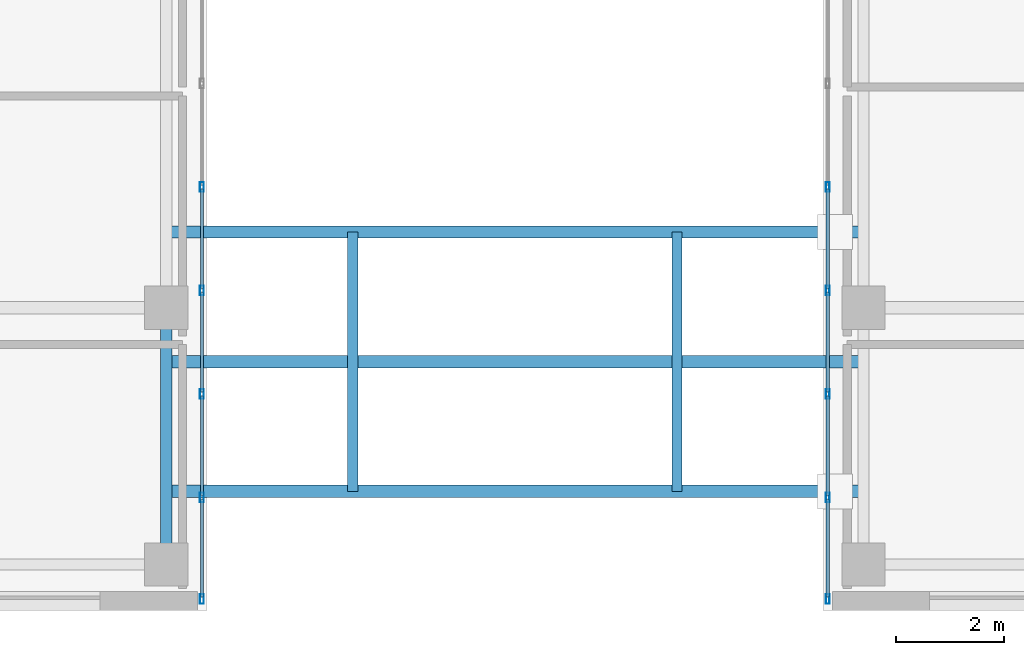
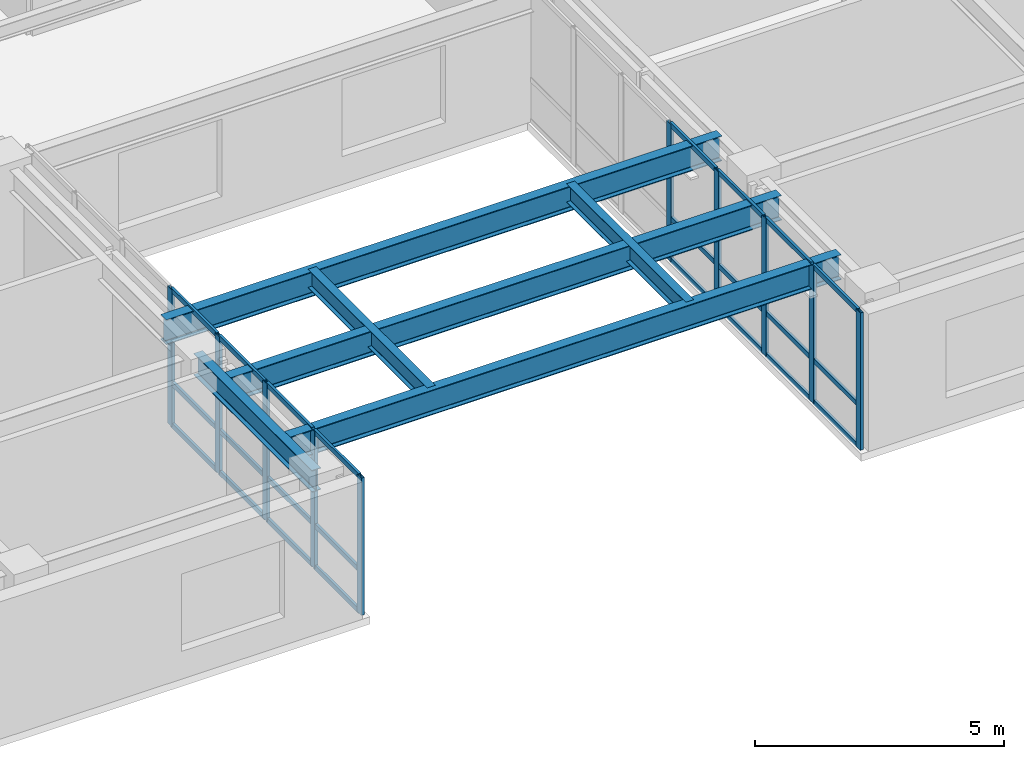
# One storey, part 3 of 15: 34 members, 6 beams, 2 elements without a shape of their own.
"""IFC4 building model written with IfcOpenShell, lengths in metres."""

from ifc_helpers import new_model, si_unit, direction, frame, origin, origin_2d, place, context, subcontext, project, spatial, hollow_rectangle, i_section, extrude, source, transform, mapped, material, layer, layer_set, material_profile, profile_set, type_object, type_shapes, element, aggregate, save


model = new_model("IFC4")

# Units and contexts
model_context = context("Model", 3, precision=1e-05, world=origin(), true_north=direction((0.0, 1.0)))
body_context = subcontext(model_context, "Body", "Model", "MODEL_VIEW")
ifc_project = project(units=[si_unit("LENGTHUNIT", "METRE"), si_unit("AREAUNIT", "SQUARE_METRE"), si_unit("VOLUMEUNIT", "CUBIC_METRE"), si_unit("PLANEANGLEUNIT", "RADIAN"), si_unit("MASSUNIT", "GRAM", prefix="KILO")], contexts=[model_context])

# Site, building, storey
site_placement = place(None, origin())
site = spatial("IfcSite", under=ifc_project, at=site_placement, CompositionType="ELEMENT")
building_placement = place(site_placement, origin())
building = spatial("IfcBuilding", under=site, at=building_placement, Name="Tolvann Quenvar Hotel", CompositionType="ELEMENT")
storey_placement = place(building_placement, frame((0.0, 0.0, 164.800048828125)))
storey = spatial("IfcBuildingStorey", under=building, at=storey_placement, Name="L43", CompositionType="ELEMENT", Elevation=164.800048828125)

# Beams
ifc_material_1 = material(Name="Steel Grade 350", Category="steel")
ifc_material_profile_1 = material_profile(ifc_material_1, i_section(OverallWidth=0.22900390625, OverallDepth=0.612060546875, WebThickness=0.011962890625, FlangeThickness=0.01953125, FilletRadius=0.013916015625, at=origin_2d()), Name="610UB125")
ifc_profile_set_1 = profile_set([ifc_material_profile_1], Name="Steel Grade 350")
beam_type_1 = type_object("IfcBeamType", Name="BM_GIRD_610UB125", PredefinedType="BEAM", material=ifc_profile_set_1)
shared_shape_1 = source(origin(), body_context, "Body", "SweptSolid", [
    extrude(i_section(OverallWidth=0.22900390625, OverallDepth=0.612060546875, WebThickness=0.011962890625, FlangeThickness=0.01953125, FilletRadius=0.013916015625, at=origin_2d()), origin(), (0.0, 0.0, 1.0), 12.89990234375),
])
type_shapes(beam_type_1, [shared_shape_1])
for number, where, z_axis, x_axis, name in (
    (1, (22.050048828125, 4.800048828125, 3.06396484375), (1.0, 0.0, 0.0), (0.0, 1.0, 0.0), "Skybridge Longitudinal Support Girder (L44-S)"),
    (2, (22.050048828125, 9.60009765625, 3.06396484375), (1.0, 0.0, 0.0), (0.0, 1.0, 0.0), "Skybridge Longitudinal Support Girder (L44-N)"),
    (3, (22.050048828125, 7.199951171875, 3.06396484375), (1.0, 0.0, 0.0), (0.0, 1.0, 0.0), "Skybridge Central Support Girder (L44-M)"),
):
    element("IfcBeam", number, at=place(storey_placement, frame(where, z_axis=z_axis, x_axis=x_axis)), inside=storey, type_object=beam_type_1, Name=name, PredefinedType="BEAM", context=body_context, shape_type="MappedRepresentation", body=[
        mapped(shared_shape_1, transform((0.0, 0.0, 0.0), x_axis=(1.0, 0.0, 0.0), y_axis=(0.0, 1.0, 0.0), z_axis=(0.0, 0.0, 1.0), scale=1.0)),
    ])
ifc_material_profile_2 = material_profile(ifc_material_1, i_section(OverallWidth=0.208984375, OverallDepth=0.532958984375, WebThickness=0.01025390625, FlangeThickness=0.015625, FilletRadius=0.013916015625, at=origin_2d()), Name="530UB92")
ifc_profile_set_2 = profile_set([ifc_material_profile_2], Name="Steel Grade 350")
beam_type_2 = type_object("IfcBeamType", Name="BM_GIRD_530UB92", PredefinedType="BEAM", material=ifc_profile_set_2)
shared_shape_2 = source(origin(), body_context, "Body", "SweptSolid", [
    extrude(i_section(OverallWidth=0.208984375, OverallDepth=0.532958984375, WebThickness=0.01025390625, FlangeThickness=0.015625, FilletRadius=0.013916015625, at=origin_2d()), origin(), (0.0, 0.0, 1.0), 4.75),
])
type_shapes(beam_type_2, [shared_shape_2])
beam_placement = place(storey_placement, frame((22.050048828125, 3.449951171875, 3.103515625), z_axis=(0.0, 1.0, 0.0), x_axis=(-1.0, 0.0, 0.0)))
element("IfcBeam", 4, at=beam_placement, inside=storey, type_object=beam_type_2, Name="BM-L43-NS-E2-E3", PredefinedType="BEAM", context=body_context, shape_type="MappedRepresentation", body=[
    mapped(shared_shape_2, transform((0.0, 0.0, 0.0), x_axis=(1.0, 0.0, 0.0), y_axis=(0.0, 1.0, 0.0), z_axis=(0.0, 0.0, 1.0), scale=1.0)),
])
ifc_material_profile_3 = material_profile(ifc_material_1, i_section(OverallWidth=0.18994140625, OverallDepth=0.4541015625, WebThickness=0.008544921875, FlangeThickness=0.0126953125, FilletRadius=0.011474609375, at=origin_2d()), Name="460UB67")
ifc_profile_set_3 = profile_set([ifc_material_profile_3], Name="Steel Grade 350")
beam_type_3 = type_object("IfcBeamType", Name="BM_JOIST_460UB67", PredefinedType="JOIST", material=ifc_profile_set_3)
shared_shape_3 = source(origin(), body_context, "Body", "SweptSolid", [
    extrude(i_section(OverallWidth=0.18994140625, OverallDepth=0.4541015625, WebThickness=0.008544921875, FlangeThickness=0.0126953125, FilletRadius=0.011474609375, at=origin_2d()), origin(), (0.0, 0.0, 1.0), 4.800048828125),
])
type_shapes(beam_type_3, [shared_shape_3])
for number, where, z_axis, x_axis, name in (
    (5, (25.5, 4.800048828125, 3.14306640625), (0.0, 1.0, 0.0), (-1.0, 0.0, 0.0), "Skybridge Transverse Diaphragm Beam W (L44)"),
    (6, (31.5, 4.800048828125, 3.14306640625), (0.0, 1.0, 0.0), (-1.0, 0.0, 0.0), "Skybridge Transverse Diaphragm Beam E (L44)"),
):
    element("IfcBeam", number, at=place(storey_placement, frame(where, z_axis=z_axis, x_axis=x_axis)), inside=storey, type_object=beam_type_3, Name=name, PredefinedType="JOIST", context=body_context, shape_type="MappedRepresentation", body=[
        mapped(shared_shape_3, transform((0.0, 0.0, 0.0), x_axis=(1.0, 0.0, 0.0), y_axis=(0.0, 1.0, 0.0), z_axis=(0.0, 0.0, 1.0), scale=1.0)),
    ])

# Curtain wall, members
ifc_material_2 = material(Name="Thermally broken anodised architectural aluminium 6063-T6 and laminated low-E glass", Category="aluminium")
ifc_layer = layer(ifc_material_2, 0.179931640625)
ifc_layer_set = layer_set([ifc_layer], Name="Thermally broken anodised architectural aluminium 6063-T6 and laminated low-E glass")
curtain_wall_type = type_object("IfcCurtainWallType", Name="CW_SYS_SLOT_03", PredefinedType="USERDEFINED", material=ifc_layer_set)
curtain_wall_1_placement = place(storey_placement, origin())
curtain_wall_1 = element("IfcCurtainWall", 7, at=curtain_wall_1_placement, inside=storey, type_object=curtain_wall_type, Name="Curtain Wall CW-SLOT-03 (CWR-L43-E05)", ObjectType="UNITISED CURTAIN WALL", PredefinedType="USERDEFINED")
ifc_material_3 = material(Name="Anodised architectural aluminium 6063-T6 framing", Category="aluminium")
ifc_material_profile_4 = material_profile(ifc_material_3, hollow_rectangle(XDim=0.070068359375, YDim=0.179931640625, WallThickness=0.00390625, at=origin_2d()), Name="180x70x4RHS")
ifc_profile_set_4 = profile_set([ifc_material_profile_4], Name="Anodised architectural aluminium 6063-T6 framing")
member_type_1 = type_object("IfcMemberType", Name="CW_MULL_180x70", PredefinedType="MULLION", material=ifc_profile_set_4)
shared_shape_4 = source(origin(), body_context, "Body", "SweptSolid", [
    extrude(hollow_rectangle(XDim=0.070068359375, YDim=0.179931640625, WallThickness=0.00390625, at=origin_2d()), origin(), (0.0, 0.0, 1.0), 3.369873046875),
])
type_shapes(member_type_1, [shared_shape_4])
member_1_placement = place(storey_placement, frame((22.7099609375, 2.81005859375, 0.0), z_axis=(0.0, 0.0, 1.0), x_axis=(-1.0, 0.0, 0.0)))
member_1 = element("IfcMember", 8, at=member_1_placement, type_object=member_type_1, Name="CW-SLOT-03 mullion 1", PredefinedType="MULLION", context=body_context, shape_type="MappedRepresentation", body=[
    mapped(shared_shape_4, transform((0.0, 0.0, 0.0), x_axis=(1.0, 0.0, 0.0), y_axis=(0.0, 1.0, 0.0), z_axis=(0.0, 0.0, 1.0), scale=1.0)),
])
member_2_placement = place(storey_placement, frame((22.7099609375, 4.689208984375, 0.0), z_axis=(0.0, 0.0, 1.0), x_axis=(-1.0, 0.0, 0.0)))
member_2 = element("IfcMember", 9, at=member_2_placement, type_object=member_type_1, Name="CW-SLOT-03 mullion 2", PredefinedType="MULLION", context=body_context, shape_type="MappedRepresentation", body=[
    mapped(shared_shape_4, transform((0.0, 0.0, 0.0), x_axis=(1.0, 0.0, 0.0), y_axis=(0.0, 1.0, 0.0), z_axis=(0.0, 0.0, 1.0), scale=1.0)),
])
member_3_placement = place(storey_placement, frame((22.7099609375, 6.603515625, 0.0), z_axis=(0.0, 0.0, 1.0), x_axis=(-1.0, 0.0, 0.0)))
member_3 = element("IfcMember", 10, at=member_3_placement, type_object=member_type_1, Name="CW-SLOT-03 mullion 3", PredefinedType="MULLION", context=body_context, shape_type="MappedRepresentation", body=[
    mapped(shared_shape_4, transform((0.0, 0.0, 0.0), x_axis=(1.0, 0.0, 0.0), y_axis=(0.0, 1.0, 0.0), z_axis=(0.0, 0.0, 1.0), scale=1.0)),
])
member_4_placement = place(storey_placement, frame((22.7099609375, 8.517822265625, 0.0), z_axis=(0.0, 0.0, 1.0), x_axis=(-1.0, 0.0, 0.0)))
member_4 = element("IfcMember", 11, at=member_4_placement, type_object=member_type_1, Name="CW-SLOT-03 mullion 4", PredefinedType="MULLION", context=body_context, shape_type="MappedRepresentation", body=[
    mapped(shared_shape_4, transform((0.0, 0.0, 0.0), x_axis=(1.0, 0.0, 0.0), y_axis=(0.0, 1.0, 0.0), z_axis=(0.0, 0.0, 1.0), scale=1.0)),
])
member_5_placement = place(storey_placement, frame((22.7099609375, 10.43212890625, 0.0), z_axis=(0.0, 0.0, 1.0), x_axis=(-1.0, 0.0, 0.0)))
member_5 = element("IfcMember", 12, at=member_5_placement, type_object=member_type_1, Name="CW-SLOT-03 mullion 5", PredefinedType="MULLION", context=body_context, shape_type="MappedRepresentation", body=[
    mapped(shared_shape_4, transform((0.0, 0.0, 0.0), x_axis=(1.0, 0.0, 0.0), y_axis=(0.0, 1.0, 0.0), z_axis=(0.0, 0.0, 1.0), scale=1.0)),
])

curtain_wall_2_placement = place(storey_placement, origin())
curtain_wall_2 = element("IfcCurtainWall", 13, at=curtain_wall_2_placement, inside=storey, type_object=curtain_wall_type, Name="Curtain Wall CW-SLOT-03 (CWR-L43-E07)", ObjectType="UNITISED CURTAIN WALL", PredefinedType="USERDEFINED")
member_6_placement = place(storey_placement, frame((34.2900390625, 10.43212890625, 0.0), z_axis=(0.0, 0.0, 1.0), x_axis=(1.0, 0.0, 0.0)))
member_6 = element("IfcMember", 14, at=member_6_placement, type_object=member_type_1, Name="CW-SLOT-03 mullion 4", PredefinedType="MULLION", context=body_context, shape_type="MappedRepresentation", body=[
    mapped(shared_shape_4, transform((0.0, 0.0, 0.0), x_axis=(1.0, 0.0, 0.0), y_axis=(0.0, 1.0, 0.0), z_axis=(0.0, 0.0, 1.0), scale=1.0)),
])
member_7_placement = place(storey_placement, frame((34.2900390625, 8.517822265625, 0.0), z_axis=(0.0, 0.0, 1.0), x_axis=(1.0, 0.0, 0.0)))
member_7 = element("IfcMember", 15, at=member_7_placement, type_object=member_type_1, Name="CW-SLOT-03 mullion 5", PredefinedType="MULLION", context=body_context, shape_type="MappedRepresentation", body=[
    mapped(shared_shape_4, transform((0.0, 0.0, 0.0), x_axis=(1.0, 0.0, 0.0), y_axis=(0.0, 1.0, 0.0), z_axis=(0.0, 0.0, 1.0), scale=1.0)),
])
member_8_placement = place(storey_placement, frame((34.2900390625, 6.603515625, 0.0), z_axis=(0.0, 0.0, 1.0), x_axis=(1.0, 0.0, 0.0)))
member_8 = element("IfcMember", 16, at=member_8_placement, type_object=member_type_1, Name="CW-SLOT-03 mullion 6", PredefinedType="MULLION", context=body_context, shape_type="MappedRepresentation", body=[
    mapped(shared_shape_4, transform((0.0, 0.0, 0.0), x_axis=(1.0, 0.0, 0.0), y_axis=(0.0, 1.0, 0.0), z_axis=(0.0, 0.0, 1.0), scale=1.0)),
])
member_9_placement = place(storey_placement, frame((34.2900390625, 4.689208984375, 0.0), z_axis=(0.0, 0.0, 1.0), x_axis=(1.0, 0.0, 0.0)))
member_9 = element("IfcMember", 17, at=member_9_placement, type_object=member_type_1, Name="CW-SLOT-03 mullion 7", PredefinedType="MULLION", context=body_context, shape_type="MappedRepresentation", body=[
    mapped(shared_shape_4, transform((0.0, 0.0, 0.0), x_axis=(1.0, 0.0, 0.0), y_axis=(0.0, 1.0, 0.0), z_axis=(0.0, 0.0, 1.0), scale=1.0)),
])
member_10_placement = place(storey_placement, frame((34.2900390625, 2.81005859375, 0.0), z_axis=(0.0, 0.0, 1.0), x_axis=(1.0, 0.0, 0.0)))
member_10 = element("IfcMember", 18, at=member_10_placement, type_object=member_type_1, Name="CW-SLOT-03 mullion 8", PredefinedType="MULLION", context=body_context, shape_type="MappedRepresentation", body=[
    mapped(shared_shape_4, transform((0.0, 0.0, 0.0), x_axis=(1.0, 0.0, 0.0), y_axis=(0.0, 1.0, 0.0), z_axis=(0.0, 0.0, 1.0), scale=1.0)),
])

# Member
ifc_material_profile_5 = material_profile(ifc_material_3, hollow_rectangle(XDim=0.06005859375, YDim=0.1201171875, WallThickness=0.00341796875, at=origin_2d()), Name="120x60x3.5RHS")
ifc_profile_set_5 = profile_set([ifc_material_profile_5], Name="Anodised architectural aluminium 6063-T6 framing")
member_type_2 = type_object("IfcMemberType", Name="CW_TRAN_120x60", PredefinedType="USERDEFINED", material=ifc_profile_set_5)
shared_shape_5 = source(origin(), body_context, "Body", "SweptSolid", [
    extrude(hollow_rectangle(XDim=0.06005859375, YDim=0.1201171875, WallThickness=0.00341796875, at=origin_2d()), origin(), (0.0, 0.0, 1.0), 1.809326171875),
])
member_11_placement = place(storey_placement, frame((22.7099609375, 2.844970703125, 0.030029296875), z_axis=(0.0, 1.0, 0.0), x_axis=(-1.0, 0.0, 0.0)))
member_11 = element("IfcMember", 19, at=member_11_placement, type_object=member_type_2, Name="CW-SLOT-03 transom 1.1", ObjectType="TRANSOM", PredefinedType="USERDEFINED", context=body_context, shape_type="MappedRepresentation", body=[
    mapped(shared_shape_5, transform((0.0, 0.0, 0.0), x_axis=(1.0, 0.0, 0.0), y_axis=(0.0, 1.0, 0.0), z_axis=(0.0, 0.0, 1.0), scale=1.0)),
])

member_12_placement = place(storey_placement, frame((22.7099609375, 2.844970703125, 1.050048828125), z_axis=(0.0, 1.0, 0.0), x_axis=(-1.0, 0.0, 0.0)))
member_12 = element("IfcMember", 20, at=member_12_placement, type_object=member_type_2, Name="CW-SLOT-03 transom 1.2", ObjectType="TRANSOM", PredefinedType="USERDEFINED", context=body_context, shape_type="MappedRepresentation", body=[
    mapped(shared_shape_5, transform((0.0, 0.0, 0.0), x_axis=(1.0, 0.0, 0.0), y_axis=(0.0, 1.0, 0.0), z_axis=(0.0, 0.0, 1.0), scale=1.0)),
])

member_13_placement = place(storey_placement, frame((22.7099609375, 2.844970703125, 3.33984375), z_axis=(0.0, 1.0, 0.0), x_axis=(-1.0, 0.0, 0.0)))
member_13 = element("IfcMember", 21, at=member_13_placement, type_object=member_type_2, Name="CW-SLOT-03 transom 1.3", ObjectType="TRANSOM", PredefinedType="USERDEFINED", context=body_context, shape_type="MappedRepresentation", body=[
    mapped(shared_shape_5, transform((0.0, 0.0, 0.0), x_axis=(1.0, 0.0, 0.0), y_axis=(0.0, 1.0, 0.0), z_axis=(0.0, 0.0, 1.0), scale=1.0)),
])

member_14_placement = place(storey_placement, frame((34.2900390625, 4.654296875, 0.030029296875), z_axis=(0.0, -1.0, 0.0), x_axis=(1.0, 0.0, 0.0)))
member_14 = element("IfcMember", 22, at=member_14_placement, type_object=member_type_2, Name="CW-SLOT-03 transom 7.1", ObjectType="TRANSOM", PredefinedType="USERDEFINED", context=body_context, shape_type="MappedRepresentation", body=[
    mapped(shared_shape_5, transform((0.0, 0.0, 0.0), x_axis=(1.0, 0.0, 0.0), y_axis=(0.0, 1.0, 0.0), z_axis=(0.0, 0.0, 1.0), scale=1.0)),
])

member_15_placement = place(storey_placement, frame((34.2900390625, 4.654296875, 1.050048828125), z_axis=(0.0, -1.0, 0.0), x_axis=(1.0, 0.0, 0.0)))
member_15 = element("IfcMember", 23, at=member_15_placement, type_object=member_type_2, Name="CW-SLOT-03 transom 7.2", ObjectType="TRANSOM", PredefinedType="USERDEFINED", context=body_context, shape_type="MappedRepresentation", body=[
    mapped(shared_shape_5, transform((0.0, 0.0, 0.0), x_axis=(1.0, 0.0, 0.0), y_axis=(0.0, 1.0, 0.0), z_axis=(0.0, 0.0, 1.0), scale=1.0)),
])

member_16_placement = place(storey_placement, frame((34.2900390625, 4.654296875, 3.33984375), z_axis=(0.0, -1.0, 0.0), x_axis=(1.0, 0.0, 0.0)))
member_16 = element("IfcMember", 24, at=member_16_placement, type_object=member_type_2, Name="CW-SLOT-03 transom 7.3", ObjectType="TRANSOM", PredefinedType="USERDEFINED", context=body_context, shape_type="MappedRepresentation", body=[
    mapped(shared_shape_5, transform((0.0, 0.0, 0.0), x_axis=(1.0, 0.0, 0.0), y_axis=(0.0, 1.0, 0.0), z_axis=(0.0, 0.0, 1.0), scale=1.0)),
])

shared_shape_6 = source(origin(), body_context, "Body", "SweptSolid", [
    extrude(hollow_rectangle(XDim=0.06005859375, YDim=0.1201171875, WallThickness=0.00341796875, at=origin_2d()), origin(), (0.0, 0.0, 1.0), 1.84423828125),
])
type_shapes(member_type_2, [shared_shape_5, shared_shape_6])
member_17_placement = place(storey_placement, frame((22.7099609375, 4.724365234375, 0.030029296875), z_axis=(0.0, 1.0, 0.0), x_axis=(-1.0, 0.0, 0.0)))
member_17 = element("IfcMember", 25, at=member_17_placement, type_object=member_type_2, Name="CW-SLOT-03 transom 2.1", ObjectType="TRANSOM", PredefinedType="USERDEFINED", context=body_context, shape_type="MappedRepresentation", body=[
    mapped(shared_shape_6, transform((0.0, 0.0, 0.0), x_axis=(1.0, 0.0, 0.0), y_axis=(0.0, 1.0, 0.0), z_axis=(0.0, 0.0, 1.0), scale=1.0)),
])

member_18_placement = place(storey_placement, frame((22.7099609375, 4.724365234375, 1.050048828125), z_axis=(0.0, 1.0, 0.0), x_axis=(-1.0, 0.0, 0.0)))
member_18 = element("IfcMember", 26, at=member_18_placement, type_object=member_type_2, Name="CW-SLOT-03 transom 2.2", ObjectType="TRANSOM", PredefinedType="USERDEFINED", context=body_context, shape_type="MappedRepresentation", body=[
    mapped(shared_shape_6, transform((0.0, 0.0, 0.0), x_axis=(1.0, 0.0, 0.0), y_axis=(0.0, 1.0, 0.0), z_axis=(0.0, 0.0, 1.0), scale=1.0)),
])

member_19_placement = place(storey_placement, frame((22.7099609375, 4.724365234375, 3.33984375), z_axis=(0.0, 1.0, 0.0), x_axis=(-1.0, 0.0, 0.0)))
member_19 = element("IfcMember", 27, at=member_19_placement, type_object=member_type_2, Name="CW-SLOT-03 transom 2.3", ObjectType="TRANSOM", PredefinedType="USERDEFINED", context=body_context, shape_type="MappedRepresentation", body=[
    mapped(shared_shape_6, transform((0.0, 0.0, 0.0), x_axis=(1.0, 0.0, 0.0), y_axis=(0.0, 1.0, 0.0), z_axis=(0.0, 0.0, 1.0), scale=1.0)),
])

member_20_placement = place(storey_placement, frame((22.7099609375, 6.638671875, 0.030029296875), z_axis=(0.0, 1.0, 0.0), x_axis=(-1.0, 0.0, 0.0)))
member_20 = element("IfcMember", 28, at=member_20_placement, type_object=member_type_2, Name="CW-SLOT-03 transom 3.1", ObjectType="TRANSOM", PredefinedType="USERDEFINED", context=body_context, shape_type="MappedRepresentation", body=[
    mapped(shared_shape_6, transform((0.0, 0.0, 0.0), x_axis=(1.0, 0.0, 0.0), y_axis=(0.0, 1.0, 0.0), z_axis=(0.0, 0.0, 1.0), scale=1.0)),
])

member_21_placement = place(storey_placement, frame((22.7099609375, 6.638671875, 1.050048828125), z_axis=(0.0, 1.0, 0.0), x_axis=(-1.0, 0.0, 0.0)))
member_21 = element("IfcMember", 29, at=member_21_placement, type_object=member_type_2, Name="CW-SLOT-03 transom 3.2", ObjectType="TRANSOM", PredefinedType="USERDEFINED", context=body_context, shape_type="MappedRepresentation", body=[
    mapped(shared_shape_6, transform((0.0, 0.0, 0.0), x_axis=(1.0, 0.0, 0.0), y_axis=(0.0, 1.0, 0.0), z_axis=(0.0, 0.0, 1.0), scale=1.0)),
])

member_22_placement = place(storey_placement, frame((22.7099609375, 6.638671875, 3.33984375), z_axis=(0.0, 1.0, 0.0), x_axis=(-1.0, 0.0, 0.0)))
member_22 = element("IfcMember", 30, at=member_22_placement, type_object=member_type_2, Name="CW-SLOT-03 transom 3.3", ObjectType="TRANSOM", PredefinedType="USERDEFINED", context=body_context, shape_type="MappedRepresentation", body=[
    mapped(shared_shape_6, transform((0.0, 0.0, 0.0), x_axis=(1.0, 0.0, 0.0), y_axis=(0.0, 1.0, 0.0), z_axis=(0.0, 0.0, 1.0), scale=1.0)),
])

member_23_placement = place(storey_placement, frame((22.7099609375, 8.552978515625, 0.030029296875), z_axis=(0.0, 1.0, 0.0), x_axis=(-1.0, 0.0, 0.0)))
member_23 = element("IfcMember", 31, at=member_23_placement, type_object=member_type_2, Name="CW-SLOT-03 transom 4.1", ObjectType="TRANSOM", PredefinedType="USERDEFINED", context=body_context, shape_type="MappedRepresentation", body=[
    mapped(shared_shape_6, transform((0.0, 0.0, 0.0), x_axis=(1.0, 0.0, 0.0), y_axis=(0.0, 1.0, 0.0), z_axis=(0.0, 0.0, 1.0), scale=1.0)),
])

member_24_placement = place(storey_placement, frame((22.7099609375, 8.552978515625, 1.050048828125), z_axis=(0.0, 1.0, 0.0), x_axis=(-1.0, 0.0, 0.0)))
member_24 = element("IfcMember", 32, at=member_24_placement, type_object=member_type_2, Name="CW-SLOT-03 transom 4.2", ObjectType="TRANSOM", PredefinedType="USERDEFINED", context=body_context, shape_type="MappedRepresentation", body=[
    mapped(shared_shape_6, transform((0.0, 0.0, 0.0), x_axis=(1.0, 0.0, 0.0), y_axis=(0.0, 1.0, 0.0), z_axis=(0.0, 0.0, 1.0), scale=1.0)),
])

member_25_placement = place(storey_placement, frame((22.7099609375, 8.552978515625, 3.33984375), z_axis=(0.0, 1.0, 0.0), x_axis=(-1.0, 0.0, 0.0)))
member_25 = element("IfcMember", 33, at=member_25_placement, type_object=member_type_2, Name="CW-SLOT-03 transom 4.3", ObjectType="TRANSOM", PredefinedType="USERDEFINED", context=body_context, shape_type="MappedRepresentation", body=[
    mapped(shared_shape_6, transform((0.0, 0.0, 0.0), x_axis=(1.0, 0.0, 0.0), y_axis=(0.0, 1.0, 0.0), z_axis=(0.0, 0.0, 1.0), scale=1.0)),
])

aggregate(curtain_wall_1, [member_1, member_2, member_3, member_4, member_5, member_11, member_12, member_13, member_17, member_18, member_19, member_20, member_21, member_22, member_23, member_24, member_25])

member_26_placement = place(storey_placement, frame((34.2900390625, 10.397216796875, 0.030029296875), z_axis=(0.0, -1.0, 0.0), x_axis=(1.0, 0.0, 0.0)))
member_26 = element("IfcMember", 34, at=member_26_placement, type_object=member_type_2, Name="CW-SLOT-03 transom 4.1", ObjectType="TRANSOM", PredefinedType="USERDEFINED", context=body_context, shape_type="MappedRepresentation", body=[
    mapped(shared_shape_6, transform((0.0, 0.0, 0.0), x_axis=(1.0, 0.0, 0.0), y_axis=(0.0, 1.0, 0.0), z_axis=(0.0, 0.0, 1.0), scale=1.0)),
])

member_27_placement = place(storey_placement, frame((34.2900390625, 10.397216796875, 1.050048828125), z_axis=(0.0, -1.0, 0.0), x_axis=(1.0, 0.0, 0.0)))
member_27 = element("IfcMember", 35, at=member_27_placement, type_object=member_type_2, Name="CW-SLOT-03 transom 4.2", ObjectType="TRANSOM", PredefinedType="USERDEFINED", context=body_context, shape_type="MappedRepresentation", body=[
    mapped(shared_shape_6, transform((0.0, 0.0, 0.0), x_axis=(1.0, 0.0, 0.0), y_axis=(0.0, 1.0, 0.0), z_axis=(0.0, 0.0, 1.0), scale=1.0)),
])

member_28_placement = place(storey_placement, frame((34.2900390625, 10.397216796875, 3.33984375), z_axis=(0.0, -1.0, 0.0), x_axis=(1.0, 0.0, 0.0)))
member_28 = element("IfcMember", 36, at=member_28_placement, type_object=member_type_2, Name="CW-SLOT-03 transom 4.3", ObjectType="TRANSOM", PredefinedType="USERDEFINED", context=body_context, shape_type="MappedRepresentation", body=[
    mapped(shared_shape_6, transform((0.0, 0.0, 0.0), x_axis=(1.0, 0.0, 0.0), y_axis=(0.0, 1.0, 0.0), z_axis=(0.0, 0.0, 1.0), scale=1.0)),
])

member_29_placement = place(storey_placement, frame((34.2900390625, 8.48291015625, 0.030029296875), z_axis=(0.0, -1.0, 0.0), x_axis=(1.0, 0.0, 0.0)))
member_29 = element("IfcMember", 37, at=member_29_placement, type_object=member_type_2, Name="CW-SLOT-03 transom 5.1", ObjectType="TRANSOM", PredefinedType="USERDEFINED", context=body_context, shape_type="MappedRepresentation", body=[
    mapped(shared_shape_6, transform((0.0, 0.0, 0.0), x_axis=(1.0, 0.0, 0.0), y_axis=(0.0, 1.0, 0.0), z_axis=(0.0, 0.0, 1.0), scale=1.0)),
])

member_30_placement = place(storey_placement, frame((34.2900390625, 8.48291015625, 1.050048828125), z_axis=(0.0, -1.0, 0.0), x_axis=(1.0, 0.0, 0.0)))
member_30 = element("IfcMember", 38, at=member_30_placement, type_object=member_type_2, Name="CW-SLOT-03 transom 5.2", ObjectType="TRANSOM", PredefinedType="USERDEFINED", context=body_context, shape_type="MappedRepresentation", body=[
    mapped(shared_shape_6, transform((0.0, 0.0, 0.0), x_axis=(1.0, 0.0, 0.0), y_axis=(0.0, 1.0, 0.0), z_axis=(0.0, 0.0, 1.0), scale=1.0)),
])

member_31_placement = place(storey_placement, frame((34.2900390625, 8.48291015625, 3.33984375), z_axis=(0.0, -1.0, 0.0), x_axis=(1.0, 0.0, 0.0)))
member_31 = element("IfcMember", 39, at=member_31_placement, type_object=member_type_2, Name="CW-SLOT-03 transom 5.3", ObjectType="TRANSOM", PredefinedType="USERDEFINED", context=body_context, shape_type="MappedRepresentation", body=[
    mapped(shared_shape_6, transform((0.0, 0.0, 0.0), x_axis=(1.0, 0.0, 0.0), y_axis=(0.0, 1.0, 0.0), z_axis=(0.0, 0.0, 1.0), scale=1.0)),
])

member_32_placement = place(storey_placement, frame((34.2900390625, 6.568603515625, 0.030029296875), z_axis=(0.0, -1.0, 0.0), x_axis=(1.0, 0.0, 0.0)))
member_32 = element("IfcMember", 40, at=member_32_placement, type_object=member_type_2, Name="CW-SLOT-03 transom 6.1", ObjectType="TRANSOM", PredefinedType="USERDEFINED", context=body_context, shape_type="MappedRepresentation", body=[
    mapped(shared_shape_6, transform((0.0, 0.0, 0.0), x_axis=(1.0, 0.0, 0.0), y_axis=(0.0, 1.0, 0.0), z_axis=(0.0, 0.0, 1.0), scale=1.0)),
])

member_33_placement = place(storey_placement, frame((34.2900390625, 6.568603515625, 1.050048828125), z_axis=(0.0, -1.0, 0.0), x_axis=(1.0, 0.0, 0.0)))
member_33 = element("IfcMember", 41, at=member_33_placement, type_object=member_type_2, Name="CW-SLOT-03 transom 6.2", ObjectType="TRANSOM", PredefinedType="USERDEFINED", context=body_context, shape_type="MappedRepresentation", body=[
    mapped(shared_shape_6, transform((0.0, 0.0, 0.0), x_axis=(1.0, 0.0, 0.0), y_axis=(0.0, 1.0, 0.0), z_axis=(0.0, 0.0, 1.0), scale=1.0)),
])

member_34_placement = place(storey_placement, frame((34.2900390625, 6.568603515625, 3.33984375), z_axis=(0.0, -1.0, 0.0), x_axis=(1.0, 0.0, 0.0)))
member_34 = element("IfcMember", 42, at=member_34_placement, type_object=member_type_2, Name="CW-SLOT-03 transom 6.3", ObjectType="TRANSOM", PredefinedType="USERDEFINED", context=body_context, shape_type="MappedRepresentation", body=[
    mapped(shared_shape_6, transform((0.0, 0.0, 0.0), x_axis=(1.0, 0.0, 0.0), y_axis=(0.0, 1.0, 0.0), z_axis=(0.0, 0.0, 1.0), scale=1.0)),
])

aggregate(curtain_wall_2, [member_6, member_7, member_8, member_9, member_10, member_26, member_27, member_28, member_29, member_30, member_31, member_32, member_33, member_34, member_14, member_15, member_16])

save(model, "model.ifc")
